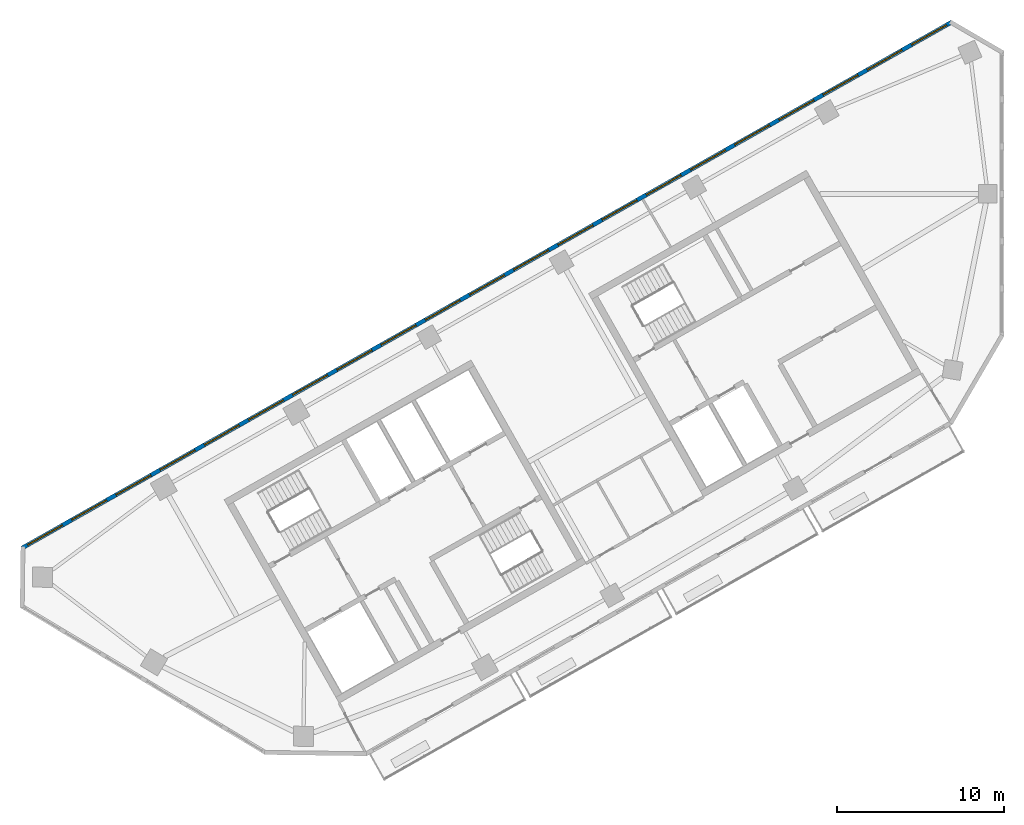
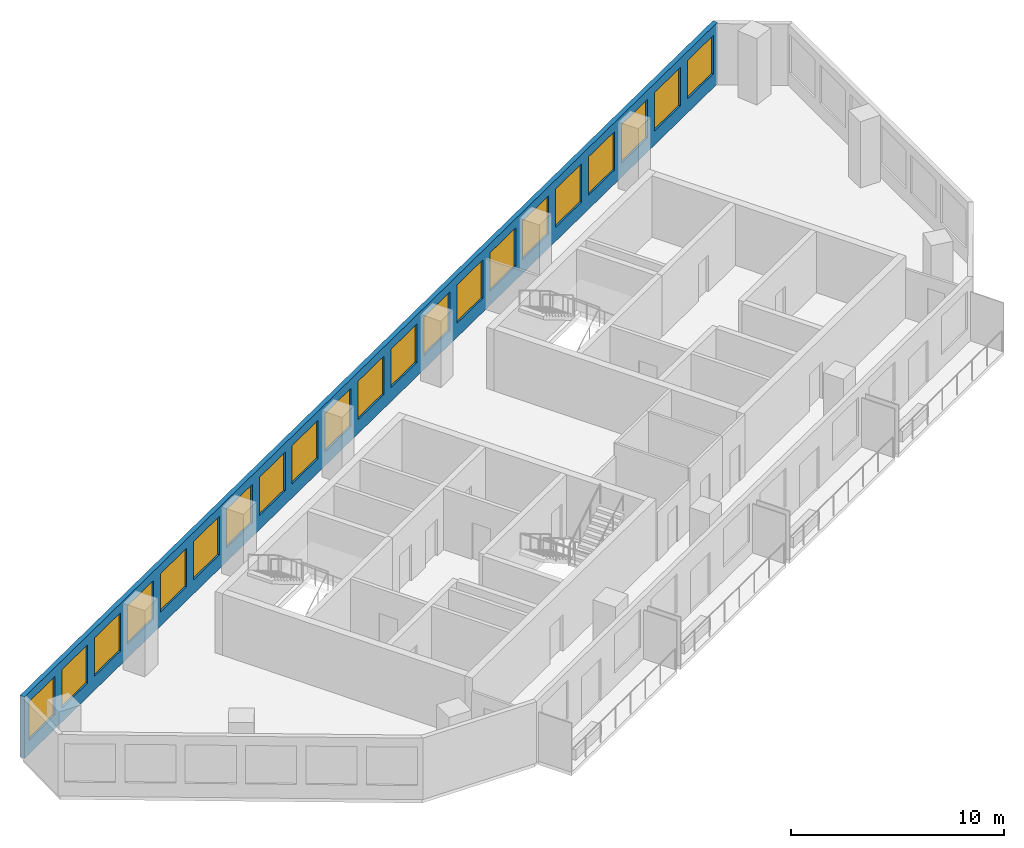
# One storey, part 3 of 7: 21 windows, 1 wall, 21 openings.
"""IFC4 building model written with IfcOpenShell, lengths in metres."""

from ifc_helpers import new_model, si_unit, direction, frame, frame_2d, origin, place, context, subcontext, project, spatial, rectangle, extrude, material, layer, layer_set, type_object, element, fill, save


model = new_model("IFC4")

# Units and contexts
model_context = context("Model", 3, precision=1e-05, world=origin(), true_north=direction((0.0, 1.0)))
body_context = subcontext(model_context, "Body", "Model", "MODEL_VIEW")
ifc_project = project(units=[si_unit("LENGTHUNIT", "METRE"), si_unit("AREAUNIT", "SQUARE_METRE"), si_unit("VOLUMEUNIT", "CUBIC_METRE"), si_unit("PLANEANGLEUNIT", "RADIAN"), si_unit("MASSUNIT", "GRAM", prefix="KILO")], contexts=[model_context])

# Site, building, storey
site_placement = place(None, origin())
site = spatial("IfcSite", under=ifc_project, at=site_placement, CompositionType="ELEMENT")
building_placement = place(site_placement, origin())
building = spatial("IfcBuilding", under=site, at=building_placement, Name="Binnacle Exchange Tower", CompositionType="ELEMENT")
storey_placement = place(building_placement, frame((0.0, 0.0, 304.5)))
storey = spatial("IfcBuildingStorey", under=building, at=storey_placement, Name="L68", CompositionType="ELEMENT", Elevation=304.5)

# Wall, openings, windows
ifc_material_1 = material(Name="Bronze aluminium cladding", Category="aluminium")
ifc_layer = layer(ifc_material_1, 0.25)
ifc_layer_set = layer_set([ifc_layer], Name="External wall - window wall 250")
wall_type = type_object("IfcWallType", Name="External wall - window wall 250", PredefinedType="STANDARD", material=ifc_layer_set)
wall_placement = place(storey_placement, frame((-58.732177734375, 38.770751953125, 0.0), z_axis=(0.0, 0.0, 1.0), x_axis=(0.870355615581, 0.492423702137, 0.0)))
wall = element("IfcWall", 1, at=wall_placement, inside=storey, type_object=wall_type, Name="External wall EW-H03 L68", PredefinedType="STANDARD", context=body_context, shape_type="SweptSolid", body=[
    extrude(rectangle(XDim=64.052490234375, YDim=0.25, at=frame_2d((32.0263671875, 0.0))), origin(), (0.0, 0.0, 1.0), 3.52001953125),
])
opening_1_placement = place(wall_placement, frame((61.25927734375, 0.0, 0.800048828125)))
opening_1 = element("IfcOpeningElement", 2, at=opening_1_placement, cuts=wall, Name="Opening WR2", PredefinedType="OPENING", context=body_context, shape_type="SweptSolid", body=[
    extrude(rectangle(XDim=2.39990234375, YDim=2.199951171875, at=frame_2d((1.199951171875, 1.10009765625))), frame((0.0, 0.135009765625, 0.0), z_axis=(0.0, -1.0, 0.0), x_axis=(1.0, 0.0, 0.0)), (0.0, 0.0, 1.0), 0.27001953125),
])
opening_2_placement = place(wall_placement, frame((58.2158203125, 0.0, 0.800048828125)))
opening_2 = element("IfcOpeningElement", 3, at=opening_2_placement, cuts=wall, Name="Opening WR2", PredefinedType="OPENING", context=body_context, shape_type="SweptSolid", body=[
    extrude(rectangle(XDim=2.39990234375, YDim=2.199951171875, at=frame_2d((1.199951171875, 1.10009765625))), frame((0.0, 0.135009765625, 0.0), z_axis=(0.0, -1.0, 0.0), x_axis=(1.0, 0.0, 0.0)), (0.0, 0.0, 1.0), 0.27001953125),
])
opening_3_placement = place(wall_placement, frame((55.172607421875, 0.0, 0.800048828125)))
opening_3 = element("IfcOpeningElement", 4, at=opening_3_placement, cuts=wall, Name="Opening WR2", PredefinedType="OPENING", context=body_context, shape_type="SweptSolid", body=[
    extrude(rectangle(XDim=2.39990234375, YDim=2.199951171875, at=frame_2d((1.199951171875, 1.10009765625))), frame((0.0, 0.135009765625, 0.0), z_axis=(0.0, -1.0, 0.0), x_axis=(1.0, 0.0, 0.0)), (0.0, 0.0, 1.0), 0.27001953125),
])
opening_4_placement = place(wall_placement, frame((52.12939453125, 0.0, 0.800048828125)))
opening_4 = element("IfcOpeningElement", 5, at=opening_4_placement, cuts=wall, Name="Opening WR2", PredefinedType="OPENING", context=body_context, shape_type="SweptSolid", body=[
    extrude(rectangle(XDim=2.39990234375, YDim=2.199951171875, at=frame_2d((1.199951171875, 1.10009765625))), frame((0.0, 0.135009765625, 0.0), z_axis=(0.0, -1.0, 0.0), x_axis=(1.0, 0.0, 0.0)), (0.0, 0.0, 1.0), 0.27001953125),
])
opening_5_placement = place(wall_placement, frame((49.0859375, 0.0, 0.800048828125)))
opening_5 = element("IfcOpeningElement", 6, at=opening_5_placement, cuts=wall, Name="Opening WR2", PredefinedType="OPENING", context=body_context, shape_type="SweptSolid", body=[
    extrude(rectangle(XDim=2.39990234375, YDim=2.199951171875, at=frame_2d((1.199951171875, 1.10009765625))), frame((0.0, 0.135009765625, 0.0), z_axis=(0.0, -1.0, 0.0), x_axis=(1.0, 0.0, 0.0)), (0.0, 0.0, 1.0), 0.27001953125),
])
opening_6_placement = place(wall_placement, frame((46.042724609375, 0.0, 0.800048828125)))
opening_6 = element("IfcOpeningElement", 7, at=opening_6_placement, cuts=wall, Name="Opening WR2", PredefinedType="OPENING", context=body_context, shape_type="SweptSolid", body=[
    extrude(rectangle(XDim=2.39990234375, YDim=2.199951171875, at=frame_2d((1.199951171875, 1.10009765625))), frame((0.0, 0.135009765625, 0.0), z_axis=(0.0, -1.0, 0.0), x_axis=(1.0, 0.0, 0.0)), (0.0, 0.0, 1.0), 0.27001953125),
])
opening_7_placement = place(wall_placement, frame((42.99951171875, 0.0, 0.800048828125)))
opening_7 = element("IfcOpeningElement", 8, at=opening_7_placement, cuts=wall, Name="Opening WR2", PredefinedType="OPENING", context=body_context, shape_type="SweptSolid", body=[
    extrude(rectangle(XDim=2.39990234375, YDim=2.199951171875, at=frame_2d((1.199951171875, 1.10009765625))), frame((0.0, 0.135009765625, 0.0), z_axis=(0.0, -1.0, 0.0), x_axis=(1.0, 0.0, 0.0)), (0.0, 0.0, 1.0), 0.27001953125),
])
opening_8_placement = place(wall_placement, frame((39.956298828125, 0.0, 0.800048828125)))
opening_8 = element("IfcOpeningElement", 9, at=opening_8_placement, cuts=wall, Name="Opening WR2", PredefinedType="OPENING", context=body_context, shape_type="SweptSolid", body=[
    extrude(rectangle(XDim=2.39990234375, YDim=2.199951171875, at=frame_2d((1.199951171875, 1.10009765625))), frame((0.0, 0.135009765625, 0.0), z_axis=(0.0, -1.0, 0.0), x_axis=(1.0, 0.0, 0.0)), (0.0, 0.0, 1.0), 0.27001953125),
])
opening_9_placement = place(wall_placement, frame((36.912841796875, 0.0, 0.800048828125)))
opening_9 = element("IfcOpeningElement", 10, at=opening_9_placement, cuts=wall, Name="Opening WR2", PredefinedType="OPENING", context=body_context, shape_type="SweptSolid", body=[
    extrude(rectangle(XDim=2.39990234375, YDim=2.199951171875, at=frame_2d((1.199951171875, 1.10009765625))), frame((0.0, 0.135009765625, 0.0), z_axis=(0.0, -1.0, 0.0), x_axis=(1.0, 0.0, 0.0)), (0.0, 0.0, 1.0), 0.27001953125),
])
opening_10_placement = place(wall_placement, frame((33.86962890625, 0.0, 0.800048828125)))
opening_10 = element("IfcOpeningElement", 11, at=opening_10_placement, cuts=wall, Name="Opening WR2", PredefinedType="OPENING", context=body_context, shape_type="SweptSolid", body=[
    extrude(rectangle(XDim=2.39990234375, YDim=2.199951171875, at=frame_2d((1.199951171875, 1.10009765625))), frame((0.0, 0.135009765625, 0.0), z_axis=(0.0, -1.0, 0.0), x_axis=(1.0, 0.0, 0.0)), (0.0, 0.0, 1.0), 0.27001953125),
])
opening_11_placement = place(wall_placement, frame((30.826416015625, 0.0, 0.800048828125)))
opening_11 = element("IfcOpeningElement", 12, at=opening_11_placement, cuts=wall, Name="Opening WR2", PredefinedType="OPENING", context=body_context, shape_type="SweptSolid", body=[
    extrude(rectangle(XDim=2.39990234375, YDim=2.199951171875, at=frame_2d((1.199951171875, 1.10009765625))), frame((0.0, 0.135009765625, 0.0), z_axis=(0.0, -1.0, 0.0), x_axis=(1.0, 0.0, 0.0)), (0.0, 0.0, 1.0), 0.27001953125),
])
opening_12_placement = place(wall_placement, frame((27.782958984375, 0.0, 0.800048828125)))
opening_12 = element("IfcOpeningElement", 13, at=opening_12_placement, cuts=wall, Name="Opening WR2", PredefinedType="OPENING", context=body_context, shape_type="SweptSolid", body=[
    extrude(rectangle(XDim=2.39990234375, YDim=2.199951171875, at=frame_2d((1.199951171875, 1.10009765625))), frame((0.0, 0.135009765625, 0.0), z_axis=(0.0, -1.0, 0.0), x_axis=(1.0, 0.0, 0.0)), (0.0, 0.0, 1.0), 0.27001953125),
])
opening_13_placement = place(wall_placement, frame((24.73974609375, 0.0, 0.800048828125)))
opening_13 = element("IfcOpeningElement", 14, at=opening_13_placement, cuts=wall, Name="Opening WR2", PredefinedType="OPENING", context=body_context, shape_type="SweptSolid", body=[
    extrude(rectangle(XDim=2.39990234375, YDim=2.199951171875, at=frame_2d((1.199951171875, 1.10009765625))), frame((0.0, 0.135009765625, 0.0), z_axis=(0.0, -1.0, 0.0), x_axis=(1.0, 0.0, 0.0)), (0.0, 0.0, 1.0), 0.27001953125),
])
opening_14_placement = place(wall_placement, frame((21.6962890625, 0.0, 0.800048828125)))
opening_14 = element("IfcOpeningElement", 15, at=opening_14_placement, cuts=wall, Name="Opening WR2", PredefinedType="OPENING", context=body_context, shape_type="SweptSolid", body=[
    extrude(rectangle(XDim=2.39990234375, YDim=2.199951171875, at=frame_2d((1.199951171875, 1.10009765625))), frame((0.0, 0.135009765625, 0.0), z_axis=(0.0, -1.0, 0.0), x_axis=(1.0, 0.0, 0.0)), (0.0, 0.0, 1.0), 0.27001953125),
])
opening_15_placement = place(wall_placement, frame((18.6533203125, 0.0, 0.800048828125)))
opening_15 = element("IfcOpeningElement", 16, at=opening_15_placement, cuts=wall, Name="Opening WR2", PredefinedType="OPENING", context=body_context, shape_type="SweptSolid", body=[
    extrude(rectangle(XDim=2.39990234375, YDim=2.199951171875, at=frame_2d((1.199951171875, 1.10009765625))), frame((0.0, 0.135009765625, 0.0), z_axis=(0.0, -1.0, 0.0), x_axis=(1.0, 0.0, 0.0)), (0.0, 0.0, 1.0), 0.27001953125),
])
opening_16_placement = place(wall_placement, frame((15.60986328125, 0.0, 0.800048828125)))
opening_16 = element("IfcOpeningElement", 17, at=opening_16_placement, cuts=wall, Name="Opening WR2", PredefinedType="OPENING", context=body_context, shape_type="SweptSolid", body=[
    extrude(rectangle(XDim=2.39990234375, YDim=2.199951171875, at=frame_2d((1.199951171875, 1.10009765625))), frame((0.0, 0.135009765625, 0.0), z_axis=(0.0, -1.0, 0.0), x_axis=(1.0, 0.0, 0.0)), (0.0, 0.0, 1.0), 0.27001953125),
])
opening_17_placement = place(wall_placement, frame((12.566650390625, 0.0, 0.800048828125)))
opening_17 = element("IfcOpeningElement", 18, at=opening_17_placement, cuts=wall, Name="Opening WR2", PredefinedType="OPENING", context=body_context, shape_type="SweptSolid", body=[
    extrude(rectangle(XDim=2.39990234375, YDim=2.199951171875, at=frame_2d((1.199951171875, 1.10009765625))), frame((0.0, 0.135009765625, 0.0), z_axis=(0.0, -1.0, 0.0), x_axis=(1.0, 0.0, 0.0)), (0.0, 0.0, 1.0), 0.27001953125),
])
opening_18_placement = place(wall_placement, frame((9.523193359375, 0.0, 0.800048828125)))
opening_18 = element("IfcOpeningElement", 19, at=opening_18_placement, cuts=wall, Name="Opening WR2", PredefinedType="OPENING", context=body_context, shape_type="SweptSolid", body=[
    extrude(rectangle(XDim=2.39990234375, YDim=2.199951171875, at=frame_2d((1.199951171875, 1.10009765625))), frame((0.0, 0.135009765625, 0.0), z_axis=(0.0, -1.0, 0.0), x_axis=(1.0, 0.0, 0.0)), (0.0, 0.0, 1.0), 0.27001953125),
])
opening_19_placement = place(wall_placement, frame((6.47998046875, 0.0, 0.800048828125)))
opening_19 = element("IfcOpeningElement", 20, at=opening_19_placement, cuts=wall, Name="Opening WR2", PredefinedType="OPENING", context=body_context, shape_type="SweptSolid", body=[
    extrude(rectangle(XDim=2.39990234375, YDim=2.199951171875, at=frame_2d((1.199951171875, 1.10009765625))), frame((0.0, 0.135009765625, 0.0), z_axis=(0.0, -1.0, 0.0), x_axis=(1.0, 0.0, 0.0)), (0.0, 0.0, 1.0), 0.27001953125),
])
opening_20_placement = place(wall_placement, frame((3.436767578125, 0.0, 0.800048828125)))
opening_20 = element("IfcOpeningElement", 21, at=opening_20_placement, cuts=wall, Name="Opening WR2", PredefinedType="OPENING", context=body_context, shape_type="SweptSolid", body=[
    extrude(rectangle(XDim=2.39990234375, YDim=2.199951171875, at=frame_2d((1.199951171875, 1.10009765625))), frame((0.0, 0.135009765625, 0.0), z_axis=(0.0, -1.0, 0.0), x_axis=(1.0, 0.0, 0.0)), (0.0, 0.0, 1.0), 0.27001953125),
])
opening_21_placement = place(wall_placement, frame((0.393310546875, 0.0, 0.800048828125)))
opening_21 = element("IfcOpeningElement", 22, at=opening_21_placement, cuts=wall, Name="Opening WR2", PredefinedType="OPENING", context=body_context, shape_type="SweptSolid", body=[
    extrude(rectangle(XDim=2.39990234375, YDim=2.199951171875, at=frame_2d((1.199951171875, 1.10009765625))), frame((0.0, 0.135009765625, 0.0), z_axis=(0.0, -1.0, 0.0), x_axis=(1.0, 0.0, 0.0)), (0.0, 0.0, 1.0), 0.27001953125),
])
ifc_material_2 = material(Name="Bronze anodised aluminium frame", Category="aluminium")
window_type = type_object("IfcWindowType", Name="WR2 WINDOW 2400x2200", PartitioningType="SINGLE_PANEL", PredefinedType="WINDOW", material=ifc_material_2)
window_1_placement = place(opening_1_placement, origin())
window_1 = element("IfcWindow", 23, at=window_1_placement, inside=storey, type_object=window_type, Name="Window WR2 L68", OverallHeight=2.199951171875, OverallWidth=2.39990234375, PartitioningType="SINGLE_PANEL", PredefinedType="WINDOW", context=body_context, shape_type="SweptSolid", body=[
    extrude(rectangle(XDim=2.39990234375, YDim=2.199951171875, at=frame_2d((1.199951171875, 1.10009765625))), frame((0.0, 0.030029296875, 0.0), z_axis=(0.0, -1.0, 0.0), x_axis=(1.0, 0.0, 0.0)), (0.0, 0.0, 1.0), 0.06005859375),
])
fill(opening_1, window_1)
window_2_placement = place(opening_2_placement, origin())
window_2 = element("IfcWindow", 24, at=window_2_placement, inside=storey, type_object=window_type, Name="Window WR2 L68", OverallHeight=2.199951171875, OverallWidth=2.39990234375, PartitioningType="SINGLE_PANEL", PredefinedType="WINDOW", context=body_context, shape_type="SweptSolid", body=[
    extrude(rectangle(XDim=2.39990234375, YDim=2.199951171875, at=frame_2d((1.199951171875, 1.10009765625))), frame((0.0, 0.030029296875, 0.0), z_axis=(0.0, -1.0, 0.0), x_axis=(1.0, 0.0, 0.0)), (0.0, 0.0, 1.0), 0.06005859375),
])
fill(opening_2, window_2)
window_3_placement = place(opening_3_placement, origin())
window_3 = element("IfcWindow", 25, at=window_3_placement, inside=storey, type_object=window_type, Name="Window WR2 L68", OverallHeight=2.199951171875, OverallWidth=2.39990234375, PartitioningType="SINGLE_PANEL", PredefinedType="WINDOW", context=body_context, shape_type="SweptSolid", body=[
    extrude(rectangle(XDim=2.39990234375, YDim=2.199951171875, at=frame_2d((1.199951171875, 1.10009765625))), frame((0.0, 0.030029296875, 0.0), z_axis=(0.0, -1.0, 0.0), x_axis=(1.0, 0.0, 0.0)), (0.0, 0.0, 1.0), 0.06005859375),
])
fill(opening_3, window_3)
window_4_placement = place(opening_4_placement, origin())
window_4 = element("IfcWindow", 26, at=window_4_placement, inside=storey, type_object=window_type, Name="Window WR2 L68", OverallHeight=2.199951171875, OverallWidth=2.39990234375, PartitioningType="SINGLE_PANEL", PredefinedType="WINDOW", context=body_context, shape_type="SweptSolid", body=[
    extrude(rectangle(XDim=2.39990234375, YDim=2.199951171875, at=frame_2d((1.199951171875, 1.10009765625))), frame((0.0, 0.030029296875, 0.0), z_axis=(0.0, -1.0, 0.0), x_axis=(1.0, 0.0, 0.0)), (0.0, 0.0, 1.0), 0.06005859375),
])
fill(opening_4, window_4)
window_5_placement = place(opening_5_placement, origin())
window_5 = element("IfcWindow", 27, at=window_5_placement, inside=storey, type_object=window_type, Name="Window WR2 L68", OverallHeight=2.199951171875, OverallWidth=2.39990234375, PartitioningType="SINGLE_PANEL", PredefinedType="WINDOW", context=body_context, shape_type="SweptSolid", body=[
    extrude(rectangle(XDim=2.39990234375, YDim=2.199951171875, at=frame_2d((1.199951171875, 1.10009765625))), frame((0.0, 0.030029296875, 0.0), z_axis=(0.0, -1.0, 0.0), x_axis=(1.0, 0.0, 0.0)), (0.0, 0.0, 1.0), 0.06005859375),
])
fill(opening_5, window_5)
window_6_placement = place(opening_6_placement, origin())
window_6 = element("IfcWindow", 28, at=window_6_placement, inside=storey, type_object=window_type, Name="Window WR2 L68", OverallHeight=2.199951171875, OverallWidth=2.39990234375, PartitioningType="SINGLE_PANEL", PredefinedType="WINDOW", context=body_context, shape_type="SweptSolid", body=[
    extrude(rectangle(XDim=2.39990234375, YDim=2.199951171875, at=frame_2d((1.199951171875, 1.10009765625))), frame((0.0, 0.030029296875, 0.0), z_axis=(0.0, -1.0, 0.0), x_axis=(1.0, 0.0, 0.0)), (0.0, 0.0, 1.0), 0.06005859375),
])
fill(opening_6, window_6)
window_7_placement = place(opening_7_placement, origin())
window_7 = element("IfcWindow", 29, at=window_7_placement, inside=storey, type_object=window_type, Name="Window WR2 L68", OverallHeight=2.199951171875, OverallWidth=2.39990234375, PartitioningType="SINGLE_PANEL", PredefinedType="WINDOW", context=body_context, shape_type="SweptSolid", body=[
    extrude(rectangle(XDim=2.39990234375, YDim=2.199951171875, at=frame_2d((1.199951171875, 1.10009765625))), frame((0.0, 0.030029296875, 0.0), z_axis=(0.0, -1.0, 0.0), x_axis=(1.0, 0.0, 0.0)), (0.0, 0.0, 1.0), 0.06005859375),
])
fill(opening_7, window_7)
window_8_placement = place(opening_8_placement, origin())
window_8 = element("IfcWindow", 30, at=window_8_placement, inside=storey, type_object=window_type, Name="Window WR2 L68", OverallHeight=2.199951171875, OverallWidth=2.39990234375, PartitioningType="SINGLE_PANEL", PredefinedType="WINDOW", context=body_context, shape_type="SweptSolid", body=[
    extrude(rectangle(XDim=2.39990234375, YDim=2.199951171875, at=frame_2d((1.199951171875, 1.10009765625))), frame((0.0, 0.030029296875, 0.0), z_axis=(0.0, -1.0, 0.0), x_axis=(1.0, 0.0, 0.0)), (0.0, 0.0, 1.0), 0.06005859375),
])
fill(opening_8, window_8)
window_9_placement = place(opening_9_placement, origin())
window_9 = element("IfcWindow", 31, at=window_9_placement, inside=storey, type_object=window_type, Name="Window WR2 L68", OverallHeight=2.199951171875, OverallWidth=2.39990234375, PartitioningType="SINGLE_PANEL", PredefinedType="WINDOW", context=body_context, shape_type="SweptSolid", body=[
    extrude(rectangle(XDim=2.39990234375, YDim=2.199951171875, at=frame_2d((1.199951171875, 1.10009765625))), frame((0.0, 0.030029296875, 0.0), z_axis=(0.0, -1.0, 0.0), x_axis=(1.0, 0.0, 0.0)), (0.0, 0.0, 1.0), 0.06005859375),
])
fill(opening_9, window_9)
window_10_placement = place(opening_10_placement, origin())
window_10 = element("IfcWindow", 32, at=window_10_placement, inside=storey, type_object=window_type, Name="Window WR2 L68", OverallHeight=2.199951171875, OverallWidth=2.39990234375, PartitioningType="SINGLE_PANEL", PredefinedType="WINDOW", context=body_context, shape_type="SweptSolid", body=[
    extrude(rectangle(XDim=2.39990234375, YDim=2.199951171875, at=frame_2d((1.199951171875, 1.10009765625))), frame((0.0, 0.030029296875, 0.0), z_axis=(0.0, -1.0, 0.0), x_axis=(1.0, 0.0, 0.0)), (0.0, 0.0, 1.0), 0.06005859375),
])
fill(opening_10, window_10)
window_11_placement = place(opening_11_placement, origin())
window_11 = element("IfcWindow", 33, at=window_11_placement, inside=storey, type_object=window_type, Name="Window WR2 L68", OverallHeight=2.199951171875, OverallWidth=2.39990234375, PartitioningType="SINGLE_PANEL", PredefinedType="WINDOW", context=body_context, shape_type="SweptSolid", body=[
    extrude(rectangle(XDim=2.39990234375, YDim=2.199951171875, at=frame_2d((1.199951171875, 1.10009765625))), frame((0.0, 0.030029296875, 0.0), z_axis=(0.0, -1.0, 0.0), x_axis=(1.0, 0.0, 0.0)), (0.0, 0.0, 1.0), 0.06005859375),
])
fill(opening_11, window_11)
window_12_placement = place(opening_12_placement, origin())
window_12 = element("IfcWindow", 34, at=window_12_placement, inside=storey, type_object=window_type, Name="Window WR2 L68", OverallHeight=2.199951171875, OverallWidth=2.39990234375, PartitioningType="SINGLE_PANEL", PredefinedType="WINDOW", context=body_context, shape_type="SweptSolid", body=[
    extrude(rectangle(XDim=2.39990234375, YDim=2.199951171875, at=frame_2d((1.199951171875, 1.10009765625))), frame((0.0, 0.030029296875, 0.0), z_axis=(0.0, -1.0, 0.0), x_axis=(1.0, 0.0, 0.0)), (0.0, 0.0, 1.0), 0.06005859375),
])
fill(opening_12, window_12)
window_13_placement = place(opening_13_placement, origin())
window_13 = element("IfcWindow", 35, at=window_13_placement, inside=storey, type_object=window_type, Name="Window WR2 L68", OverallHeight=2.199951171875, OverallWidth=2.39990234375, PartitioningType="SINGLE_PANEL", PredefinedType="WINDOW", context=body_context, shape_type="SweptSolid", body=[
    extrude(rectangle(XDim=2.39990234375, YDim=2.199951171875, at=frame_2d((1.199951171875, 1.10009765625))), frame((0.0, 0.030029296875, 0.0), z_axis=(0.0, -1.0, 0.0), x_axis=(1.0, 0.0, 0.0)), (0.0, 0.0, 1.0), 0.06005859375),
])
fill(opening_13, window_13)
window_14_placement = place(opening_14_placement, origin())
window_14 = element("IfcWindow", 36, at=window_14_placement, inside=storey, type_object=window_type, Name="Window WR2 L68", OverallHeight=2.199951171875, OverallWidth=2.39990234375, PartitioningType="SINGLE_PANEL", PredefinedType="WINDOW", context=body_context, shape_type="SweptSolid", body=[
    extrude(rectangle(XDim=2.39990234375, YDim=2.199951171875, at=frame_2d((1.199951171875, 1.10009765625))), frame((0.0, 0.030029296875, 0.0), z_axis=(0.0, -1.0, 0.0), x_axis=(1.0, 0.0, 0.0)), (0.0, 0.0, 1.0), 0.06005859375),
])
fill(opening_14, window_14)
window_15_placement = place(opening_15_placement, origin())
window_15 = element("IfcWindow", 37, at=window_15_placement, inside=storey, type_object=window_type, Name="Window WR2 L68", OverallHeight=2.199951171875, OverallWidth=2.39990234375, PartitioningType="SINGLE_PANEL", PredefinedType="WINDOW", context=body_context, shape_type="SweptSolid", body=[
    extrude(rectangle(XDim=2.39990234375, YDim=2.199951171875, at=frame_2d((1.199951171875, 1.10009765625))), frame((0.0, 0.030029296875, 0.0), z_axis=(0.0, -1.0, 0.0), x_axis=(1.0, 0.0, 0.0)), (0.0, 0.0, 1.0), 0.06005859375),
])
fill(opening_15, window_15)
window_16_placement = place(opening_16_placement, origin())
window_16 = element("IfcWindow", 38, at=window_16_placement, inside=storey, type_object=window_type, Name="Window WR2 L68", OverallHeight=2.199951171875, OverallWidth=2.39990234375, PartitioningType="SINGLE_PANEL", PredefinedType="WINDOW", context=body_context, shape_type="SweptSolid", body=[
    extrude(rectangle(XDim=2.39990234375, YDim=2.199951171875, at=frame_2d((1.199951171875, 1.10009765625))), frame((0.0, 0.030029296875, 0.0), z_axis=(0.0, -1.0, 0.0), x_axis=(1.0, 0.0, 0.0)), (0.0, 0.0, 1.0), 0.06005859375),
])
fill(opening_16, window_16)
window_17_placement = place(opening_17_placement, origin())
window_17 = element("IfcWindow", 39, at=window_17_placement, inside=storey, type_object=window_type, Name="Window WR2 L68", OverallHeight=2.199951171875, OverallWidth=2.39990234375, PartitioningType="SINGLE_PANEL", PredefinedType="WINDOW", context=body_context, shape_type="SweptSolid", body=[
    extrude(rectangle(XDim=2.39990234375, YDim=2.199951171875, at=frame_2d((1.199951171875, 1.10009765625))), frame((0.0, 0.030029296875, 0.0), z_axis=(0.0, -1.0, 0.0), x_axis=(1.0, 0.0, 0.0)), (0.0, 0.0, 1.0), 0.06005859375),
])
fill(opening_17, window_17)
window_18_placement = place(opening_18_placement, origin())
window_18 = element("IfcWindow", 40, at=window_18_placement, inside=storey, type_object=window_type, Name="Window WR2 L68", OverallHeight=2.199951171875, OverallWidth=2.39990234375, PartitioningType="SINGLE_PANEL", PredefinedType="WINDOW", context=body_context, shape_type="SweptSolid", body=[
    extrude(rectangle(XDim=2.39990234375, YDim=2.199951171875, at=frame_2d((1.199951171875, 1.10009765625))), frame((0.0, 0.030029296875, 0.0), z_axis=(0.0, -1.0, 0.0), x_axis=(1.0, 0.0, 0.0)), (0.0, 0.0, 1.0), 0.06005859375),
])
fill(opening_18, window_18)
window_19_placement = place(opening_19_placement, origin())
window_19 = element("IfcWindow", 41, at=window_19_placement, inside=storey, type_object=window_type, Name="Window WR2 L68", OverallHeight=2.199951171875, OverallWidth=2.39990234375, PartitioningType="SINGLE_PANEL", PredefinedType="WINDOW", context=body_context, shape_type="SweptSolid", body=[
    extrude(rectangle(XDim=2.39990234375, YDim=2.199951171875, at=frame_2d((1.199951171875, 1.10009765625))), frame((0.0, 0.030029296875, 0.0), z_axis=(0.0, -1.0, 0.0), x_axis=(1.0, 0.0, 0.0)), (0.0, 0.0, 1.0), 0.06005859375),
])
fill(opening_19, window_19)
window_20_placement = place(opening_20_placement, origin())
window_20 = element("IfcWindow", 42, at=window_20_placement, inside=storey, type_object=window_type, Name="Window WR2 L68", OverallHeight=2.199951171875, OverallWidth=2.39990234375, PartitioningType="SINGLE_PANEL", PredefinedType="WINDOW", context=body_context, shape_type="SweptSolid", body=[
    extrude(rectangle(XDim=2.39990234375, YDim=2.199951171875, at=frame_2d((1.199951171875, 1.10009765625))), frame((0.0, 0.030029296875, 0.0), z_axis=(0.0, -1.0, 0.0), x_axis=(1.0, 0.0, 0.0)), (0.0, 0.0, 1.0), 0.06005859375),
])
fill(opening_20, window_20)
window_21_placement = place(opening_21_placement, origin())
window_21 = element("IfcWindow", 43, at=window_21_placement, inside=storey, type_object=window_type, Name="Window WR2 L68", OverallHeight=2.199951171875, OverallWidth=2.39990234375, PartitioningType="SINGLE_PANEL", PredefinedType="WINDOW", context=body_context, shape_type="SweptSolid", body=[
    extrude(rectangle(XDim=2.39990234375, YDim=2.199951171875, at=frame_2d((1.199951171875, 1.10009765625))), frame((0.0, 0.030029296875, 0.0), z_axis=(0.0, -1.0, 0.0), x_axis=(1.0, 0.0, 0.0)), (0.0, 0.0, 1.0), 0.06005859375),
])
fill(opening_21, window_21)

save(model, "model.ifc")
